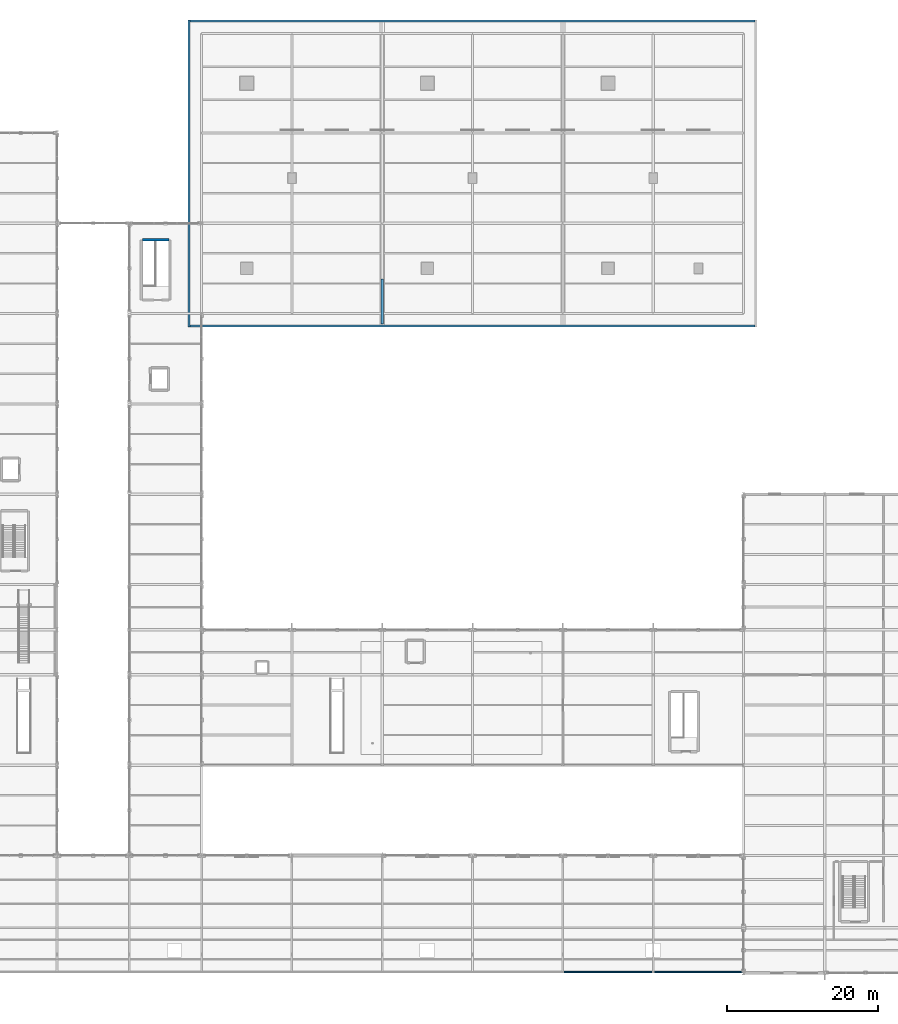
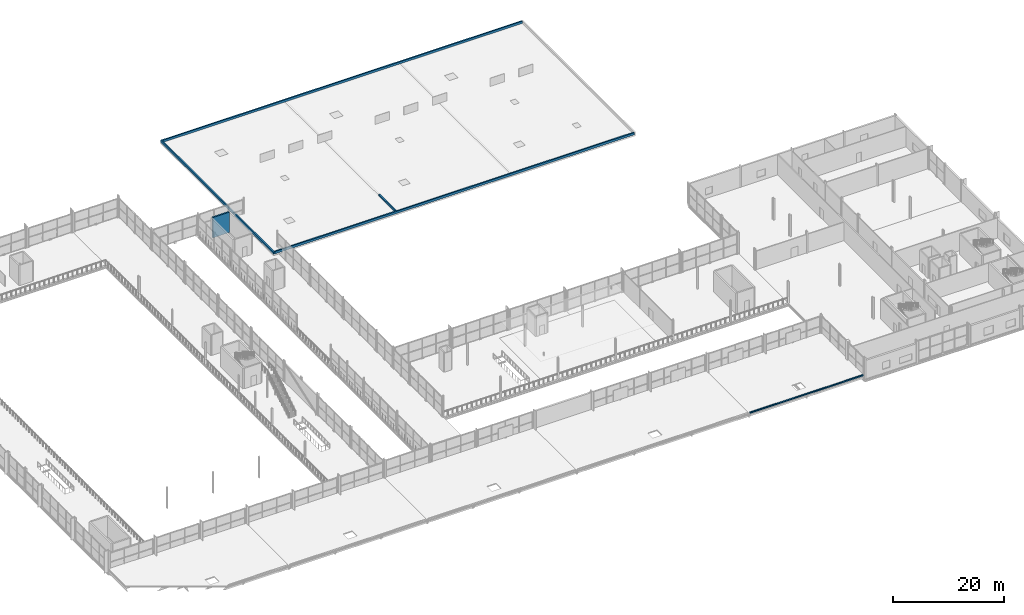
# One storey, part 140 of 159: 6 walls.
"""IFC4 building model written with IfcOpenShell, lengths in metres."""

from ifc_helpers import new_model, si_unit, direction, frame, frame_2d, origin, place, context, subcontext, project, spatial, rectangle, extrude, material, layer, layer_set, type_object, element, save


model = new_model("IFC4")

# Units and contexts
model_context = context("Model", 3, precision=1e-05, world=origin(), true_north=direction((0.0, 1.0)))
body_context = subcontext(model_context, "Body", "Model", "MODEL_VIEW")
ifc_project = project(units=[si_unit("LENGTHUNIT", "METRE"), si_unit("AREAUNIT", "SQUARE_METRE"), si_unit("VOLUMEUNIT", "CUBIC_METRE"), si_unit("PLANEANGLEUNIT", "RADIAN"), si_unit("MASSUNIT", "GRAM", prefix="KILO")], contexts=[model_context])

# Site, building, storey
site_placement = place(None, origin())
site = spatial("IfcSite", under=ifc_project, at=site_placement, CompositionType="ELEMENT")
building_placement = place(site_placement, origin())
building = spatial("IfcBuilding", under=site, at=building_placement, Name="Merenkruunu Market Hall", CompositionType="ELEMENT")
storey_placement = place(building_placement, frame((0.0, 0.0, 5.39990234375)))
storey = spatial("IfcBuildingStorey", under=building, at=storey_placement, Name="L01", CompositionType="ELEMENT", Elevation=5.39990234375)

# Walls
ifc_material_1 = material(Name="Precast concrete C40/50", Category="concrete")
ifc_layer_1 = layer(ifc_material_1, 0.280029296875)
ifc_layer_set_1 = layer_set([ifc_layer_1], Name="Precast concrete C40/50")
wall_type_1 = type_object("IfcWallType", Name="Roof Parapet Upstand PRW01", PredefinedType="PARAPET", material=ifc_layer_set_1)
for number, where, z_axis, x_axis, name in (
    (1, (75.280029296875, 126.4599609375, 1.22021484375), (0.0, 0.0, 1.0), (1.0, 0.0, 0.0), "PAR-V5-N"),
    (2, (75.280029296875, 85.93994140625, 1.22021484375), (0.0, 0.0, 1.0), (1.0, 0.0, 0.0), "PAR-V5-S"),
):
    element("IfcWall", number, at=place(storey_placement, frame(where, z_axis=z_axis, x_axis=x_axis)), inside=storey, type_object=wall_type_1, Name=name, PredefinedType="PARAPET", context=body_context, shape_type="SweptSolid", body=[
        extrude(rectangle(XDim=75.0400390625, YDim=0.280029296875, at=frame_2d((37.52001953125, 0.0))), origin(), (0.0, 0.0, 1.0), 0.5),
    ])
wall_1_placement = place(storey_placement, frame((75.139892578125, 85.800048828125, 1.22021484375), z_axis=(0.0, 0.0, 1.0), x_axis=(0.0, 1.0, 0.0)))
element("IfcWall", 3, at=wall_1_placement, inside=storey, type_object=wall_type_1, Name="PAR-V5-W", PredefinedType="PARAPET", context=body_context, shape_type="SweptSolid", body=[
    extrude(rectangle(XDim=40.800048828125, YDim=0.280029296875, at=frame_2d((20.39990234375, 0.0))), origin(), (0.0, 0.0, 1.0), 0.5),
])
wall_2_placement = place(storey_placement, frame((100.800048828125, 86.199951171875, 1.22021484375), z_axis=(0.0, 0.0, 1.0), x_axis=(0.0, 1.0, 0.0)))
element("IfcWall", 4, at=wall_2_placement, inside=storey, type_object=wall_type_1, Name="PAR-V5-M", PredefinedType="PARAPET", context=body_context, shape_type="SweptSolid", body=[
    extrude(rectangle(XDim=6.0, YDim=0.280029296875, at=frame_2d((3.0, 0.0))), origin(), (0.0, 0.0, 1.0), 0.39990234375),
])
ifc_material_2 = material(Name="High-albedo white parapet Steel S355J2", Category="steel")
ifc_layer_2 = layer(ifc_material_2, 0.179931640625)
ifc_layer_set_2 = layer_set([ifc_layer_2], Name="High-albedo white parapet Steel S355J2")
wall_type_2 = type_object("IfcWallType", Name="Roof Parapet Upstand PRW02", PredefinedType="PARAPET", material=ifc_layer_set_2)
wall_3_placement = place(storey_placement, frame((125.0, 0.1201171875, 0.60009765625), z_axis=(0.0, 0.0, 1.0), x_axis=(1.0, 0.0, 0.0)))
element("IfcWall", 5, at=wall_3_placement, inside=storey, type_object=wall_type_2, Name="PAR-V6-5", PredefinedType="PARAPET", context=body_context, shape_type="SweptSolid", body=[
    extrude(rectangle(XDim=23.60009765625, YDim=0.179931640625, at=frame_2d((11.800048828125, 0.0))), origin(), (0.0, 0.0, 1.0), 0.260009765625),
])
ifc_material_3 = material(Name="Concrete C35/45", Category="concrete")
ifc_layer_3 = layer(ifc_material_3, 0.300048828125)
ifc_layer_set_3 = layer_set([ifc_layer_3], Name="Concrete C35/45")
wall_type_3 = type_object("IfcWallType", Name="Structural Shear Wall SW02", PredefinedType="SHEAR", material=ifc_layer_set_3)
wall_4_placement = place(storey_placement, frame((72.449951171875, 97.39990234375, 0.0), z_axis=(0.0, 0.0, 1.0), x_axis=(-1.0, 0.0, 0.0)))
element("IfcWall", 6, at=wall_4_placement, inside=storey, type_object=wall_type_3, Name="WALL-CORE-K4-L01-N", PredefinedType="SHEAR", context=body_context, shape_type="SweptSolid", body=[
    extrude(rectangle(XDim=3.5, YDim=0.300048828125, at=frame_2d((1.75, 0.0))), origin(), (0.0, 0.0, 1.0), 4.5),
])

save(model, "model.ifc")
